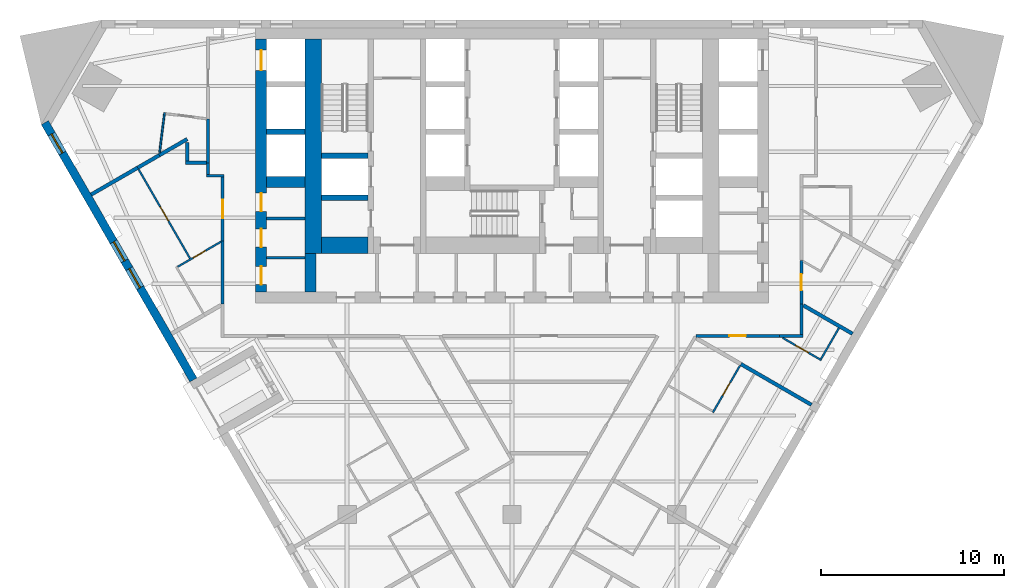
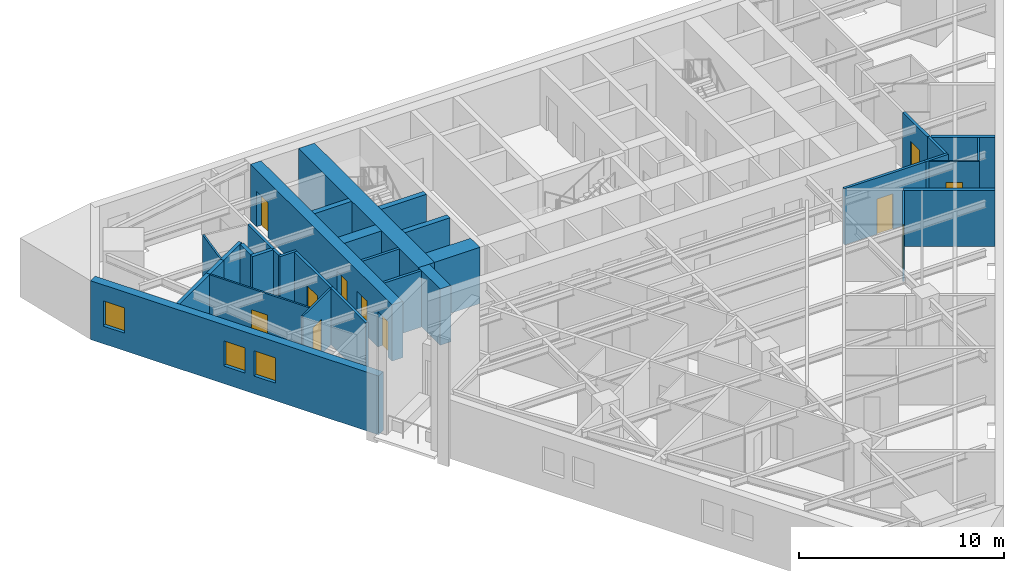
# One storey, part 5 of 9: 33 walls, 11 doors, 3 windows, 14 openings.
"""IFC4 building model written with IfcOpenShell, lengths in metres."""

import ifcopenshell
import ifcopenshell.guid

model = None  # the IFC model being written
_history = None  # IfcOwnerHistory: only IFC2X3 demands one
_inside = {}  # id of a spatial element -> (the spatial element, [elements in it])
_under = {}  # id of a project, library or spatial element -> (it, [spatial elements below it])
_declared = {}  # id of a project -> (the project, [libraries it declares])
_typed = {}  # id of a type object -> (the type object, [elements of that type])
_made_of = {}  # id of a material, layer set ... -> (it, [elements and type objects made of it])


def new_model(schema):
    """Start an empty IFC model of exactly this schema.

    Asked for "IFC4X3", IfcOpenShell would pick the latest addendum, in which some entities
    have other attributes; the version numbers below select the first issue.
    IFC2X3 requires an IfcOwnerHistory on every rooted entity: one is made here for all.
    """
    global model, _history
    if schema == "IFC4X3":
        model = ifcopenshell.file(schema_version=(4, 3, 0, 0))
    else:
        model = ifcopenshell.file(schema=schema)
    _inside.clear()
    _under.clear()
    _declared.clear()
    _typed.clear()
    _made_of.clear()
    _history = None
    if model.schema == "IFC2X3":
        org = make("IfcOrganization", Name="unknown")
        user = make(
            "IfcPersonAndOrganization",
            ThePerson=make("IfcPerson", FamilyName="unknown"),
            TheOrganization=org,
        )
        app = make(
            "IfcApplication",
            ApplicationDeveloper=org,
            Version="unknown",
            ApplicationFullName="unknown",
            ApplicationIdentifier="unknown",
        )
        _history = make(
            "IfcOwnerHistory",
            OwningUser=user,
            OwningApplication=app,
            ChangeAction="ADDED",
            CreationDate=0,
        )
    return model


def make(cls, **values):
    """One entity of the class cls with the attributes given. An attribute that is None is left unset."""
    return model.create_entity(
        cls, **{name: value for name, value in values.items() if value is not None}
    )


def rooted(cls, **values):
    """An entity with a GlobalId (a new one), such as an element, a storey or a relation."""
    return make(cls, GlobalId=ifcopenshell.guid.new(), OwnerHistory=_history, **values)


def si_unit(unit_type, name, prefix=None):
    """IfcSIUnit, for example si_unit("LENGTHUNIT", "METRE", prefix="MILLI")."""
    return make("IfcSIUnit", UnitType=unit_type, Prefix=prefix, Name=name)


def assignment(units):
    """IfcUnitAssignment: the units of a project."""
    return None if units is None else make("IfcUnitAssignment", Units=units)


def point(xyz):
    """IfcCartesianPoint."""
    return None if xyz is None else make("IfcCartesianPoint", Coordinates=xyz)


def direction(xyz):
    """IfcDirection."""
    return None if xyz is None else make("IfcDirection", DirectionRatios=xyz)


def frame(location, z_axis=None, x_axis=None):
    """IfcAxis2Placement3D, a coordinate frame: its origin and axes. An axis left out is left unset."""
    return make(
        "IfcAxis2Placement3D",
        Location=point(location),
        Axis=direction(z_axis),
        RefDirection=direction(x_axis),
    )


def frame_2d(location, x_axis=None):
    """IfcAxis2Placement2D, a coordinate frame in the plane: its origin and x axis."""
    return make(
        "IfcAxis2Placement2D", Location=point(location), RefDirection=direction(x_axis)
    )


def origin():
    """The frame at (0, 0, 0) with its axes left unset."""
    return frame((0.0, 0.0, 0.0))


def place(relative_to, where):
    """IfcLocalPlacement: puts the frame where relative to a parent placement (None: the world)."""
    return make(
        "IfcLocalPlacement", PlacementRelTo=relative_to, RelativePlacement=where
    )


def context(
    kind, dimensions, precision=None, world=None, true_north=None, identifier=None
):
    """IfcGeometricRepresentationContext, for example the 3D "Model" context."""
    return make(
        "IfcGeometricRepresentationContext",
        ContextIdentifier=identifier,
        ContextType=kind,
        CoordinateSpaceDimension=dimensions,
        Precision=precision,
        WorldCoordinateSystem=world,
        TrueNorth=true_north,
    )


def subcontext(parent, identifier, kind, view, scale=None):
    """IfcGeometricRepresentationSubContext, for example "Body" below "Model"."""
    return make(
        "IfcGeometricRepresentationSubContext",
        ContextIdentifier=identifier,
        ContextType=kind,
        ParentContext=parent,
        TargetScale=scale,
        TargetView=view,
    )


def project(units=None, contexts=None):
    """IfcProject with its units and contexts."""
    return rooted(
        "IfcProject",
        Name="project",
        RepresentationContexts=contexts,
        UnitsInContext=assignment(units),
    )


def spatial(cls, under=None, at=None, **own):
    """A site, building, storey or space (cls), placed at a placement, below another one or the project."""
    s = rooted(cls, ObjectPlacement=at, **own)
    if under is not None:
        _under.setdefault(under.id(), (under, []))[1].append(s)
    return s


def polyline(points):
    """IfcPolyline through the points."""
    return make("IfcPolyline", Points=[point(p) for p in points])


def profile(cls, at=None, kind="AREA", **sizes):
    """A parametric profile (cls). Its sizes go by their IFC names, for example OverallWidth=200.0."""
    return make(cls, ProfileType=kind, Position=at, **sizes)


def rectangle(**sizes):
    """IfcRectangleProfileDef."""
    return profile("IfcRectangleProfileDef", **sizes)


def outline(outer, holes=None, kind="AREA"):
    """IfcArbitraryClosedProfileDef: a profile drawn as a closed curve; with holes, ...WithVoids."""
    if holes is None:
        return make("IfcArbitraryClosedProfileDef", ProfileType=kind, OuterCurve=outer)
    return make(
        "IfcArbitraryProfileDefWithVoids",
        ProfileType=kind,
        OuterCurve=outer,
        InnerCurves=holes,
    )


def extrude(swept, where, along, depth):
    """IfcExtrudedAreaSolid: the profile swept, set in the frame where, extruded along a direction by depth."""
    return make(
        "IfcExtrudedAreaSolid",
        SweptArea=swept,
        Position=where,
        ExtrudedDirection=direction(along),
        Depth=depth,
    )


def shape(context_of_items, identifier, shape_type, items):
    """IfcShapeRepresentation: the items that make up one representation, for example the "Body"."""
    return make(
        "IfcShapeRepresentation",
        ContextOfItems=context_of_items,
        RepresentationIdentifier=identifier,
        RepresentationType=shape_type,
        Items=items,
    )


def material(Name=None, Category=None):
    """IfcMaterial."""
    return make("IfcMaterial", Name=Name, Category=Category)


def layer(
    of_material, thickness, ventilated=None, Name=None, Category=None, Priority=None
):
    """IfcMaterialLayer: one layer of a wall or slab, of a material (None: an air gap)."""
    return make(
        "IfcMaterialLayer",
        Material=of_material,
        LayerThickness=thickness,
        IsVentilated=ventilated,
        Name=Name,
        Category=Category,
        Priority=Priority,
    )


def layer_set(layers, Name=None):
    """IfcMaterialLayerSet."""
    return make("IfcMaterialLayerSet", MaterialLayers=layers, LayerSetName=Name)


def made_of(thing, what):
    """Note that an element or type object is made of a material, layer set ...; save() writes the relation."""
    if what is not None:
        _made_of.setdefault(what.id(), (what, []))[1].append(thing)
    return thing


def type_object(cls, material=None, **own):
    """A type object (cls), such as IfcWallType, which elements share."""
    return made_of(rooted(cls, **own), material)


def element(
    cls,
    number,
    at=None,
    inside=None,
    cuts=None,
    type_object=None,
    material=None,
    context=None,
    identifier="Body",
    shape_type=None,
    held_by="IfcProductDefinitionShape",
    body=None,
    shapes=None,
    **own,
):
    """One element of the class cls, such as IfcWall. Its Tag is "e" and its number.

    at: its placement. inside: the storey or other place that contains it. cuts: it is an
    opening in that element (IfcRelVoidsElement). A single representation is given by context,
    identifier, shape_type and body (its items); several are given by shapes. held_by: the class
    of the entity that holds the representations. save() writes the other relations.
    """
    e = rooted(cls, Tag="e%d" % number, ObjectPlacement=at, **own)
    if body is not None:
        shapes = [shape(context, identifier, shape_type, body)]
    if shapes is not None:
        e.Representation = make(held_by, Representations=shapes)
    if inside is not None:
        _inside.setdefault(inside.id(), (inside, []))[1].append(e)
    if cuts is not None:
        rooted(
            "IfcRelVoidsElement", RelatingBuildingElement=cuts, RelatedOpeningElement=e
        )
    if type_object is not None:
        _typed.setdefault(type_object.id(), (type_object, []))[1].append(e)
    return made_of(e, material)


def fill(opening, filler):
    """IfcRelFillsElement: the door or window that sits in an opening."""
    return rooted(
        "IfcRelFillsElement",
        RelatingOpeningElement=opening,
        RelatedBuildingElement=filler,
    )


def aggregate(whole, parts):
    """IfcRelAggregates: a whole, such as a stair, and the parts it consists of."""
    return rooted("IfcRelAggregates", RelatingObject=whole, RelatedObjects=parts)


def save(model, path):
    """Write the relations noted so far, then the file.

    IfcRelAggregates (storeys below a building ...), IfcRelContainedInSpatialStructure (elements
    in a storey), IfcRelDefinesByType, IfcRelAssociatesMaterial and IfcRelDeclares: one each for
    every whole, place, type object, material and project.
    """
    for whole, parts in _under.values():
        aggregate(whole, parts)
    for where, things in _inside.values():
        rooted(
            "IfcRelContainedInSpatialStructure",
            RelatedElements=things,
            RelatingStructure=where,
        )
    for kind, things in _typed.values():
        rooted("IfcRelDefinesByType", RelatedObjects=things, RelatingType=kind)
    for what, things in _made_of.values():
        rooted("IfcRelAssociatesMaterial", RelatedObjects=things, RelatingMaterial=what)
    for by, libraries in _declared.values():
        rooted("IfcRelDeclares", RelatingContext=by, RelatedDefinitions=libraries)
    model.write(path)


model = new_model("IFC4")

# Units and contexts
model_context = context("Model", 3, precision=1e-05, world=origin(), true_north=direction((0.0, 1.0)))
body_context = subcontext(model_context, "Body", "Model", "MODEL_VIEW")
ifc_project = project(units=[si_unit("LENGTHUNIT", "METRE"), si_unit("AREAUNIT", "SQUARE_METRE"), si_unit("VOLUMEUNIT", "CUBIC_METRE"), si_unit("PLANEANGLEUNIT", "RADIAN"), si_unit("MASSUNIT", "GRAM", prefix="KILO")], contexts=[model_context])

# Site, building, storey
site_placement = place(None, origin())
site = spatial("IfcSite", under=ifc_project, at=site_placement, CompositionType="ELEMENT")
building_placement = place(site_placement, origin())
building = spatial("IfcBuilding", under=site, at=building_placement, Name="Aloe Facet Convention Tower", CompositionType="ELEMENT")
storey_placement = place(building_placement, frame((0.0, 0.0, 52.5)))
storey = spatial("IfcBuildingStorey", under=building, at=storey_placement, Name="L11", CompositionType="ELEMENT", Elevation=52.5)

# Walls
ifc_material_1 = material(Name="Concrete blockwork partition", Category="masonry")
ifc_layer_1 = layer(ifc_material_1, 0.14990234375)
ifc_layer_set_1 = layer_set([ifc_layer_1], Name="CR-W-PART150")
wall_type_1 = type_object("IfcWallType", Name="CR-W-PART150", PredefinedType="PARTITIONING", material=ifc_layer_set_1)
for number, where, z_axis, x_axis, name in (
    (1, (66.60009765625, 124.16455078125, 0.0), (0.0, 0.0, 1.0), (1.0, 0.0, 0.0), "Core partition L11-007"),
    (2, (66.60009765625, 122.02490234375, 0.0), (0.0, 0.0, 1.0), (1.0, 0.0, 0.0), "Core partition L11-008"),
):
    element("IfcWall", number, at=place(storey_placement, frame(where, z_axis=z_axis, x_axis=x_axis)), inside=storey, type_object=wall_type_1, Name=name, PredefinedType="PARTITIONING", context=body_context, shape_type="SweptSolid", body=[
        extrude(rectangle(XDim=2.099853515625, YDim=0.14990234375, at=frame_2d((1.0498046875, 0.0))), origin(), (0.0, 0.0, 1.0), 3.35009765625),
    ])
ifc_material_2 = material(Name="Concrete C80/95", Category="concrete")
ifc_layer_2 = layer(ifc_material_2, 0.300048828125)
ifc_layer_set_2 = layer_set([ifc_layer_2], Name="CR-W-RC300-C8095")
wall_type_2 = type_object("IfcWallType", Name="CR-W-RC300-C8095", PredefinedType="SOLIDWALL", material=ifc_layer_set_2)
wall_1_placement = place(storey_placement, frame((66.60009765625, 128.89990234375, 0.0), z_axis=(0.0, 0.0, 1.0), x_axis=(1.0, 0.0, 0.0)))
element("IfcWall", 3, at=wall_1_placement, inside=storey, type_object=wall_type_2, Name="Core wall L11-005", PredefinedType="SOLIDWALL", context=body_context, shape_type="SweptSolid", body=[
    extrude(rectangle(XDim=2.099853515625, YDim=0.300048828125, at=frame_2d((1.0498046875, 0.0))), origin(), (0.0, 0.0, 1.0), 3.35009765625),
])
for number, where, z_axis, x_axis, name in (
    (4, (69.60009765625, 127.60009765625, 0.0), (0.0, 0.0, 1.0), (1.0, 0.0, 0.0), "Core wall L11-011"),
    (5, (69.60009765625, 125.300048828125, 0.0), (0.0, 0.0, 1.0), (1.0, 0.0, 0.0), "Core wall L11-012"),
):
    element("IfcWall", number, at=place(storey_placement, frame(where, z_axis=z_axis, x_axis=x_axis)), inside=storey, type_object=wall_type_2, Name=name, PredefinedType="SOLIDWALL", context=body_context, shape_type="SweptSolid", body=[
        extrude(rectangle(XDim=2.5498046875, YDim=0.300048828125, at=frame_2d((1.27490234375, 0.0))), origin(), (0.0, 0.0, 1.0), 3.35009765625),
    ])

# Wall, openings, doors
ifc_material_3 = material(Name="Concrete C80/95", Category="concrete")
ifc_layer_3 = layer(ifc_material_3, 0.60009765625)
ifc_layer_set_3 = layer_set([ifc_layer_3], Name="CR-W-RC600-C8095")
wall_type_3 = type_object("IfcWallType", Name="CR-W-RC600-C8095", PredefinedType="SOLIDWALL", material=ifc_layer_set_3)
wall_2_placement = place(storey_placement, frame((66.300048828125, 133.949951171875, 0.0), z_axis=(0.0, 0.0, 1.0), x_axis=(0.0, -1.0, 0.0)))
wall_2 = element("IfcWall", 6, at=wall_2_placement, inside=storey, type_object=wall_type_3, Name="Core wall L11-002", PredefinedType="SOLIDWALL", context=body_context, shape_type="SweptSolid", body=[
    extrude(rectangle(XDim=13.800048828125, YDim=0.60009765625, at=frame_2d((6.89990234375, 0.0))), origin(), (0.0, 0.0, 1.0), 3.35009765625),
])
opening_1_placement = place(wall_2_placement, frame((0.60009765625, 0.0, 0.0)))
opening_1 = element("IfcOpeningElement", 7, at=opening_1_placement, cuts=wall_2, Name="Opening LD-A7-L11", PredefinedType="OPENING", context=body_context, shape_type="SweptSolid", body=[
    extrude(rectangle(XDim=1.10009765625, YDim=2.10009765625, at=frame_2d((0.550048828125, 1.050048828125))), frame((0.0, 0.31005859375, 0.0), z_axis=(0.0, -1.0, 0.0), x_axis=(1.0, 0.0, 0.0)), (0.0, 0.0, 1.0), 0.6201171875),
])
opening_2_placement = place(wall_2_placement, frame((8.4052734375, 0.0, 0.0)))
opening_2 = element("IfcOpeningElement", 8, at=opening_2_placement, cuts=wall_2, Name="Opening L11-CD35", PredefinedType="OPENING", context=body_context, shape_type="SweptSolid", body=[
    extrude(rectangle(XDim=1.0, YDim=2.10009765625, at=frame_2d((0.5, 1.050048828125))), frame((0.0, 0.31005859375, 0.0), z_axis=(0.0, -1.0, 0.0), x_axis=(1.0, 0.0, 0.0)), (0.0, 0.0, 1.0), 0.6201171875),
])
opening_3_placement = place(wall_2_placement, frame((10.355224609375, 0.0, 0.0)))
opening_3 = element("IfcOpeningElement", 9, at=opening_3_placement, cuts=wall_2, Name="Opening L11-CD36", PredefinedType="OPENING", context=body_context, shape_type="SweptSolid", body=[
    extrude(rectangle(XDim=1.0, YDim=2.10009765625, at=frame_2d((0.5, 1.050048828125))), frame((0.0, 0.31005859375, 0.0), z_axis=(0.0, -1.0, 0.0), x_axis=(1.0, 0.0, 0.0)), (0.0, 0.0, 1.0), 0.6201171875),
])
opening_4_placement = place(wall_2_placement, frame((12.39990234375, 0.0, 0.0)))
opening_4 = element("IfcOpeningElement", 10, at=opening_4_placement, cuts=wall_2, Name="Opening L11-CD37", PredefinedType="OPENING", context=body_context, shape_type="SweptSolid", body=[
    extrude(rectangle(XDim=1.0, YDim=2.10009765625, at=frame_2d((0.5, 1.050048828125))), frame((0.0, 0.31005859375, 0.0), z_axis=(0.0, -1.0, 0.0), x_axis=(1.0, 0.0, 0.0)), (0.0, 0.0, 1.0), 0.6201171875),
])
ifc_material_4 = material(Name="Steel fire-resisting door set FD60", Category="steel")
door_type_1 = type_object("IfcDoorType", Name="CR-D-ROOM-1000-FD60-SLEFT", OperationType="SINGLE_SWING_LEFT", PredefinedType="DOOR", material=ifc_material_4)
door_1_placement = place(opening_2_placement, origin())
door_1 = element("IfcDoor", 11, at=door_1_placement, inside=storey, type_object=door_type_1, Name="Core door L11-CD35", OperationType="SINGLE_SWING_LEFT", OverallHeight=2.10009765625, OverallWidth=1.0, PredefinedType="DOOR", context=body_context, shape_type="SweptSolid", body=[
    extrude(rectangle(XDim=1.0, YDim=2.10009765625, at=frame_2d((0.5, 1.050048828125))), frame((0.0, 0.02490234375, 0.0), z_axis=(0.0, -1.0, 0.0), x_axis=(1.0, 0.0, 0.0)), (0.0, 0.0, 1.0), 0.050048828125),
])
fill(opening_2, door_1)
door_2_placement = place(opening_3_placement, origin())
door_2 = element("IfcDoor", 12, at=door_2_placement, inside=storey, type_object=door_type_1, Name="Core door L11-CD36", OperationType="SINGLE_SWING_LEFT", OverallHeight=2.10009765625, OverallWidth=1.0, PredefinedType="DOOR", context=body_context, shape_type="SweptSolid", body=[
    extrude(rectangle(XDim=1.0, YDim=2.10009765625, at=frame_2d((0.5, 1.050048828125))), frame((0.0, 0.02490234375, 0.0), z_axis=(0.0, -1.0, 0.0), x_axis=(1.0, 0.0, 0.0)), (0.0, 0.0, 1.0), 0.050048828125),
])
fill(opening_3, door_2)
door_3_placement = place(opening_4_placement, origin())
door_3 = element("IfcDoor", 13, at=door_3_placement, inside=storey, type_object=door_type_1, Name="Core door L11-CD37", OperationType="SINGLE_SWING_LEFT", OverallHeight=2.10009765625, OverallWidth=1.0, PredefinedType="DOOR", context=body_context, shape_type="SweptSolid", body=[
    extrude(rectangle(XDim=1.0, YDim=2.10009765625, at=frame_2d((0.5, 1.050048828125))), frame((0.0, 0.02490234375, 0.0), z_axis=(0.0, -1.0, 0.0), x_axis=(1.0, 0.0, 0.0)), (0.0, 0.0, 1.0), 0.050048828125),
])
fill(opening_4, door_3)
ifc_material_5 = material(Name="Stainless steel sliding landing door", Category="steel")
door_type_2 = type_object("IfcDoorType", Name="CR-LD-1100-FD60-_LEFT", OperationType="SLIDING_TO_LEFT", PredefinedType="DOOR", material=ifc_material_5)
door_4_placement = place(opening_1_placement, origin())
door_4 = element("IfcDoor", 14, at=door_4_placement, inside=storey, type_object=door_type_2, Name="Landing door A7 L11", OperationType="SLIDING_TO_LEFT", OverallHeight=2.10009765625, OverallWidth=1.10009765625, PredefinedType="DOOR", context=body_context, shape_type="SweptSolid", body=[
    extrude(rectangle(XDim=1.10009765625, YDim=2.10009765625, at=frame_2d((0.550048828125, 1.050048828125))), frame((0.0, 0.02490234375, 0.0), z_axis=(0.0, -1.0, 0.0), x_axis=(1.0, 0.0, 0.0)), (0.0, 0.0, 1.0), 0.050048828125),
])
fill(opening_1, door_4)

# Walls
wall_3_placement = place(storey_placement, frame((66.60009765625, 126.14990234375, 0.0), z_axis=(0.0, 0.0, 1.0), x_axis=(1.0, 0.0, 0.0)))
element("IfcWall", 15, at=wall_3_placement, inside=storey, type_object=wall_type_3, Name="Core wall L11-006", PredefinedType="SOLIDWALL", context=body_context, shape_type="SweptSolid", body=[
    extrude(rectangle(XDim=2.099853515625, YDim=0.60009765625, at=frame_2d((1.0498046875, 0.0))), origin(), (0.0, 0.0, 1.0), 3.35009765625),
])
wall_4_placement = place(storey_placement, frame((69.0, 122.25, 0.0), z_axis=(0.0, 0.0, 1.0), x_axis=(0.0, -1.0, 0.0)))
element("IfcWall", 16, at=wall_4_placement, inside=storey, type_object=wall_type_3, Name="Core wall L11-010", PredefinedType="SOLIDWALL", context=body_context, shape_type="SweptSolid", body=[
    extrude(rectangle(XDim=2.10009765625, YDim=0.60009765625, at=frame_2d((1.050048828125, 0.0))), origin(), (0.0, 0.0, 1.0), 3.35009765625),
])
ifc_material_6 = material(Name="Concrete C80/95", Category="concrete")
ifc_layer_4 = layer(ifc_material_6, 0.89990234375)
ifc_layer_set_4 = layer_set([ifc_layer_4], Name="CR-W-RC900-C8095")
wall_type_4 = type_object("IfcWallType", Name="CR-W-RC900-C8095", PredefinedType="SOLIDWALL", material=ifc_layer_set_4)
wall_5_placement = place(storey_placement, frame((69.14990234375, 133.949951171875, 0.0), z_axis=(0.0, 0.0, 1.0), x_axis=(0.0, -1.0, 0.0)))
element("IfcWall", 17, at=wall_5_placement, inside=storey, type_object=wall_type_4, Name="Core wall L11-009", PredefinedType="SOLIDWALL", context=body_context, shape_type="SweptSolid", body=[
    extrude(rectangle(XDim=11.699951171875, YDim=0.89990234375, at=frame_2d((5.85009765625, 0.0))), origin(), (0.0, 0.0, 1.0), 3.35009765625),
])
wall_6_placement = place(storey_placement, frame((69.60009765625, 122.699951171875, 0.0), z_axis=(0.0, 0.0, 1.0), x_axis=(1.0, 0.0, 0.0)))
element("IfcWall", 18, at=wall_6_placement, inside=storey, type_object=wall_type_4, Name="Core wall L11-013", PredefinedType="SOLIDWALL", context=body_context, shape_type="SweptSolid", body=[
    extrude(rectangle(XDim=2.5498046875, YDim=0.89990234375, at=frame_2d((1.27490234375, 0.0))), origin(), (0.0, 0.0, 1.0), 3.35009765625),
])

# Wall, openings, windows
ifc_material_7 = material(Name="Precast concrete C40/50", Category="concrete")
ifc_layer_5 = layer(ifc_material_7, 0.449951171875)
ifc_layer_set_5 = layer_set([ifc_layer_5], Name="EV-WALL-STONE")
wall_type_5 = type_object("IfcWallType", Name="EV-WALL-STONE", PredefinedType="SOLIDWALL", material=ifc_layer_set_5)
wall_7_placement = place(storey_placement, frame((54.494873046875, 129.396728515625, -0.14990234375), z_axis=(0.0, 0.0, 1.0), x_axis=(0.499995201193, -0.866028174359, 0.0)))
wall_7 = element("IfcWall", 19, at=wall_7_placement, inside=storey, type_object=wall_type_5, Name="EW-L11-W01", PredefinedType="SOLIDWALL", context=body_context, shape_type="SweptSolid", body=[
    extrude(outline(polyline([(0.0, 0.0), (0.0, 3.5), (16.219970703125, 3.5), (16.219970703125, 0.0), (0.0, 0.0)])), frame((0.0, 0.22509765625, 0.0), z_axis=(0.0, -1.0, 0.0), x_axis=(1.0, 0.0, 0.0)), (0.0, 0.0, 1.0), 0.449951171875),
])
opening_5_placement = place(wall_7_placement, frame((0.72216796875, 0.0, 1.050048828125)))
opening_5 = element("IfcOpeningElement", 20, at=opening_5_placement, cuts=wall_7, Name="Opening W-L11-W01", PredefinedType="OPENING", context=body_context, shape_type="SweptSolid", body=[
    extrude(rectangle(XDim=1.199951171875, YDim=1.5, at=frame_2d((0.60009765625, 0.75))), frame((0.0, 0.23486328125, 0.0), z_axis=(0.0, -1.0, 0.0), x_axis=(1.0, 0.0, 0.0)), (0.0, 0.0, 1.0), 0.469970703125),
])
opening_6_placement = place(wall_7_placement, frame((7.510009765625, 0.0, 1.050048828125)))
opening_6 = element("IfcOpeningElement", 21, at=opening_6_placement, cuts=wall_7, Name="Opening W-L11-W02", PredefinedType="OPENING", context=body_context, shape_type="SweptSolid", body=[
    extrude(rectangle(XDim=1.199951171875, YDim=1.5, at=frame_2d((0.60009765625, 0.75))), frame((0.0, 0.23486328125, 0.0), z_axis=(0.0, -1.0, 0.0), x_axis=(1.0, 0.0, 0.0)), (0.0, 0.0, 1.0), 0.469970703125),
])
opening_7_placement = place(wall_7_placement, frame((9.2099609375, 0.0, 1.050048828125)))
opening_7 = element("IfcOpeningElement", 22, at=opening_7_placement, cuts=wall_7, Name="Opening W-L11-W03", PredefinedType="OPENING", context=body_context, shape_type="SweptSolid", body=[
    extrude(rectangle(XDim=1.199951171875, YDim=1.5, at=frame_2d((0.60009765625, 0.75))), frame((0.0, 0.23486328125, 0.0), z_axis=(0.0, -1.0, 0.0), x_axis=(1.0, 0.0, 0.0)), (0.0, 0.0, 1.0), 0.469970703125),
])
ifc_material_8 = material(Name="Aluminium frame, clear double glazing", Category="aluminium")
window_type = type_object("IfcWindowType", Name="EV-WIN-H12", PartitioningType="SINGLE_PANEL", PredefinedType="WINDOW", material=ifc_material_8)
window_1_placement = place(opening_5_placement, origin())
window_1 = element("IfcWindow", 23, at=window_1_placement, inside=storey, type_object=window_type, Name="W-L11-W01", OverallHeight=1.5, OverallWidth=1.199951171875, PartitioningType="SINGLE_PANEL", PredefinedType="WINDOW", context=body_context, shape_type="SweptSolid", body=[
    extrude(rectangle(XDim=1.199951171875, YDim=1.5, at=frame_2d((0.60009765625, 0.75))), frame((0.0, 0.030029296875, 0.0), z_axis=(0.0, -1.0, 0.0), x_axis=(1.0, 0.0, 0.0)), (0.0, 0.0, 1.0), 0.06005859375),
])
fill(opening_5, window_1)
window_2_placement = place(opening_6_placement, origin())
window_2 = element("IfcWindow", 24, at=window_2_placement, inside=storey, type_object=window_type, Name="W-L11-W02", OverallHeight=1.5, OverallWidth=1.199951171875, PartitioningType="SINGLE_PANEL", PredefinedType="WINDOW", context=body_context, shape_type="SweptSolid", body=[
    extrude(rectangle(XDim=1.199951171875, YDim=1.5, at=frame_2d((0.60009765625, 0.75))), frame((0.0, 0.030029296875, 0.0), z_axis=(0.0, -1.0, 0.0), x_axis=(1.0, 0.0, 0.0)), (0.0, 0.0, 1.0), 0.06005859375),
])
fill(opening_6, window_2)
window_3_placement = place(opening_7_placement, origin())
window_3 = element("IfcWindow", 25, at=window_3_placement, inside=storey, type_object=window_type, Name="W-L11-W03", OverallHeight=1.5, OverallWidth=1.199951171875, PartitioningType="SINGLE_PANEL", PredefinedType="WINDOW", context=body_context, shape_type="SweptSolid", body=[
    extrude(rectangle(XDim=1.199951171875, YDim=1.5, at=frame_2d((0.60009765625, 0.75))), frame((0.0, 0.030029296875, 0.0), z_axis=(0.0, -1.0, 0.0), x_axis=(1.0, 0.0, 0.0)), (0.0, 0.0, 1.0), 0.06005859375),
])
fill(opening_7, window_3)

# Wall
ifc_material_9 = material(Name="Gypsum board partition on steel studs", Category="steel")
ifc_layer_6 = layer(ifc_material_9, 0.14990234375)
ifc_layer_set_6 = layer_set([ifc_layer_6], Name="IN-W-CORR")
wall_type_6 = type_object("IfcWallType", Name="IN-W-CORR", PredefinedType="PARTITIONING", material=ifc_layer_set_6)
wall_8_placement = place(storey_placement, frame((94.597900390625, 117.75, 0.0), z_axis=(0.0, 0.0, 1.0), x_axis=(1.0, 0.0, 0.0)))
element("IfcWall", 26, at=wall_8_placement, inside=storey, type_object=wall_type_6, Name="Partition L11-W068", PredefinedType="PARTITIONING", context=body_context, shape_type="SweptSolid", body=[
    extrude(rectangle(XDim=1.277099609375, YDim=0.14990234375, at=frame_2d((0.638671875, 0.0))), origin(), (0.0, 0.0, 1.0), 3.35009765625),
])

# Wall, opening, door
wall_9_placement = place(storey_placement, frame((90.033935546875, 117.75, 0.0), z_axis=(0.0, 0.0, 1.0), x_axis=(1.0, 0.0, 0.0)))
wall_9 = element("IfcWall", 27, at=wall_9_placement, inside=storey, type_object=wall_type_6, Name="Partition L11-W069", PredefinedType="PARTITIONING", context=body_context, shape_type="SweptSolid", body=[
    extrude(rectangle(XDim=4.56396484375, YDim=0.14990234375, at=frame_2d((2.281982421875, 0.0))), origin(), (0.0, 0.0, 1.0), 3.35009765625),
])
opening_8_placement = place(wall_9_placement, frame((1.83203125, 0.0, 0.0)))
opening_8 = element("IfcOpeningElement", 28, at=opening_8_placement, cuts=wall_9, Name="Opening L11-008", PredefinedType="OPENING", context=body_context, shape_type="SweptSolid", body=[
    extrude(rectangle(XDim=0.89990234375, YDim=2.10009765625, at=frame_2d((0.449951171875, 1.050048828125))), frame((0.0, 0.0849609375, 0.0), z_axis=(0.0, -1.0, 0.0), x_axis=(1.0, 0.0, 0.0)), (0.0, 0.0, 1.0), 0.169921875),
])
ifc_material_10 = material(Name="Hardwood flush door FD30S", Category="wood")
door_type_3 = type_object("IfcDoorType", Name="IN-D-GUEST", OperationType="SINGLE_SWING_LEFT", PredefinedType="DOOR", material=ifc_material_10)
door_5_placement = place(opening_8_placement, origin())
door_5 = element("IfcDoor", 29, at=door_5_placement, inside=storey, type_object=door_type_3, Name="Door L11-008", OperationType="SINGLE_SWING_LEFT", OverallHeight=2.10009765625, OverallWidth=0.89990234375, PredefinedType="DOOR", context=body_context, shape_type="SweptSolid", body=[
    extrude(rectangle(XDim=0.89990234375, YDim=2.10009765625, at=frame_2d((0.449951171875, 1.050048828125))), frame((0.0, 0.02490234375, 0.0), z_axis=(0.0, -1.0, 0.0), x_axis=(1.0, 0.0, 0.0)), (0.0, 0.0, 1.0), 0.050048828125),
])
fill(opening_8, door_5)

# Wall
wall_10_placement = place(storey_placement, frame((95.800048828125, 117.824951171875, 0.0), z_axis=(0.0, 0.0, 1.0), x_axis=(0.0, 1.0, 0.0)))
element("IfcWall", 30, at=wall_10_placement, inside=storey, type_object=wall_type_6, Name="Partition L11-W070", PredefinedType="PARTITIONING", context=body_context, shape_type="SweptSolid", body=[
    extrude(rectangle(XDim=1.65576171875, YDim=0.14990234375, at=frame_2d((0.827880859375, 0.0))), origin(), (0.0, 0.0, 1.0), 3.35009765625),
])

# Wall, opening, door
wall_11_placement = place(storey_placement, frame((95.800048828125, 119.480712890625, 0.0), z_axis=(0.0, 0.0, 1.0), x_axis=(0.0, 1.0, 0.0)))
wall_11 = element("IfcWall", 31, at=wall_11_placement, inside=storey, type_object=wall_type_6, Name="Partition L11-W081", PredefinedType="PARTITIONING", context=body_context, shape_type="SweptSolid", body=[
    extrude(rectangle(XDim=2.40185546875, YDim=0.14990234375, at=frame_2d((1.200927734375, 0.0))), origin(), (0.0, 0.0, 1.0), 3.35009765625),
])
opening_9_placement = place(wall_11_placement, frame((0.7509765625, 0.0, 0.0)))
opening_9 = element("IfcOpeningElement", 32, at=opening_9_placement, cuts=wall_11, Name="Opening L11-009", PredefinedType="OPENING", context=body_context, shape_type="SweptSolid", body=[
    extrude(rectangle(XDim=0.89990234375, YDim=2.10009765625, at=frame_2d((0.449951171875, 1.050048828125))), frame((0.0, 0.0849609375, 0.0), z_axis=(0.0, -1.0, 0.0), x_axis=(1.0, 0.0, 0.0)), (0.0, 0.0, 1.0), 0.169921875),
])
door_6_placement = place(opening_9_placement, origin())
door_6 = element("IfcDoor", 33, at=door_6_placement, inside=storey, type_object=door_type_3, Name="Door L11-009", OperationType="SINGLE_SWING_LEFT", OverallHeight=2.10009765625, OverallWidth=0.89990234375, PredefinedType="DOOR", context=body_context, shape_type="SweptSolid", body=[
    extrude(rectangle(XDim=0.89990234375, YDim=2.10009765625, at=frame_2d((0.449951171875, 1.050048828125))), frame((0.0, 0.02490234375, 0.0), z_axis=(0.0, -1.0, 0.0), x_axis=(1.0, 0.0, 0.0)), (0.0, 0.0, 1.0), 0.050048828125),
])
fill(opening_9, door_6)

# Walls
wall_12_placement = place(storey_placement, frame((64.199951171875, 119.480712890625, 0.0), z_axis=(0.0, 0.0, 1.0), x_axis=(0.0, 1.0, 0.0)))
element("IfcWall", 34, at=wall_12_placement, inside=storey, type_object=wall_type_6, Name="Partition L11-W083", PredefinedType="PARTITIONING", context=body_context, shape_type="SweptSolid", body=[
    extrude(rectangle(XDim=3.464111328125, YDim=0.14990234375, at=frame_2d((1.73193359375, 0.0))), origin(), (0.0, 0.0, 1.0), 3.35009765625),
])
wall_13_placement = place(storey_placement, frame((63.324951171875, 126.5, 0.0), z_axis=(0.0, 0.0, 1.0), x_axis=(1.0, 0.0, 0.0)))
element("IfcWall", 35, at=wall_13_placement, inside=storey, type_object=wall_type_6, Name="Partition L11-W096", PredefinedType="PARTITIONING", context=body_context, shape_type="SweptSolid", body=[
    extrude(rectangle(XDim=0.949951171875, YDim=0.14990234375, at=frame_2d((0.47509765625, 0.0))), origin(), (0.0, 0.0, 1.0), 3.35009765625),
])

# Wall, opening, door
wall_14_placement = place(storey_placement, frame((64.199951171875, 122.94482421875, 0.0), z_axis=(0.0, 0.0, 1.0), x_axis=(0.0, 1.0, 0.0)))
wall_14 = element("IfcWall", 36, at=wall_14_placement, inside=storey, type_object=wall_type_6, Name="Partition L11-W097", PredefinedType="PARTITIONING", context=body_context, shape_type="SweptSolid", body=[
    extrude(rectangle(XDim=3.480224609375, YDim=0.14990234375, at=frame_2d((1.740234375, 0.0))), origin(), (0.0, 0.0, 1.0), 3.35009765625),
])
opening_10_placement = place(wall_14_placement, frame((1.239990234375, 0.0, 0.0)))
opening_10 = element("IfcOpeningElement", 37, at=opening_10_placement, cuts=wall_14, Name="Opening L11-014", PredefinedType="OPENING", context=body_context, shape_type="SweptSolid", body=[
    extrude(rectangle(XDim=1.0, YDim=2.10009765625, at=frame_2d((0.5, 1.050048828125))), frame((0.0, 0.0849609375, 0.0), z_axis=(0.0, -1.0, 0.0), x_axis=(1.0, 0.0, 0.0)), (0.0, 0.0, 1.0), 0.169921875),
])
ifc_material_11 = material(Name="Hardwood flush door FD30S", Category="wood")
door_type_4 = type_object("IfcDoorType", Name="IN-D-WIDE", OperationType="SINGLE_SWING_LEFT", PredefinedType="DOOR", material=ifc_material_11)
door_7_placement = place(opening_10_placement, origin())
door_7 = element("IfcDoor", 38, at=door_7_placement, inside=storey, type_object=door_type_4, Name="Door L11-014", OperationType="SINGLE_SWING_LEFT", OverallHeight=2.10009765625, OverallWidth=1.0, PredefinedType="DOOR", context=body_context, shape_type="SweptSolid", body=[
    extrude(rectangle(XDim=1.0, YDim=2.10009765625, at=frame_2d((0.5, 1.050048828125))), frame((0.0, 0.02490234375, 0.0), z_axis=(0.0, -1.0, 0.0), x_axis=(1.0, 0.0, 0.0)), (0.0, 0.0, 1.0), 0.050048828125),
])
fill(opening_10, door_7)

# Walls
wall_15_placement = place(storey_placement, frame((63.39990234375, 126.574951171875, 0.0), z_axis=(0.0, 0.0, 1.0), x_axis=(0.0, 1.0, 0.0)))
element("IfcWall", 39, at=wall_15_placement, inside=storey, type_object=wall_type_6, Name="Partition L11-W102", PredefinedType="PARTITIONING", context=body_context, shape_type="SweptSolid", body=[
    extrude(rectangle(XDim=0.625, YDim=0.14990234375, at=frame_2d((0.3125, 0.0))), origin(), (0.0, 0.0, 1.0), 3.35009765625),
])
wall_16_placement = place(storey_placement, frame((63.39990234375, 127.199951171875, 0.0), z_axis=(0.0, 0.0, 1.0), x_axis=(0.0, 1.0, 0.0)))
element("IfcWall", 40, at=wall_16_placement, inside=storey, type_object=wall_type_6, Name="Partition L11-W107", PredefinedType="PARTITIONING", context=body_context, shape_type="SweptSolid", body=[
    extrude(rectangle(XDim=2.3974609375, YDim=0.14990234375, at=frame_2d((1.19873046875, 0.0))), origin(), (0.0, 0.0, 1.0), 3.35009765625),
])

# Wall, opening, door
ifc_material_12 = material(Name="Gypsum board partition on steel studs", Category="steel")
ifc_layer_7 = layer(ifc_material_12, 0.10009765625)
ifc_layer_set_7 = layer_set([ifc_layer_7], Name="IN-W-PART")
wall_type_7 = type_object("IfcWallType", Name="IN-W-PART", PredefinedType="PARTITIONING", material=ifc_layer_set_7)
wall_17_placement = place(storey_placement, frame((90.971435546875, 113.57373046875, 0.0), z_axis=(0.0, 0.0, 1.0), x_axis=(0.499988418424, 0.866032090307, 0.0)))
wall_17 = element("IfcWall", 41, at=wall_17_placement, inside=storey, type_object=wall_type_7, Name="Partition L11-W047", PredefinedType="PARTITIONING", context=body_context, shape_type="SweptSolid", body=[
    extrude(rectangle(XDim=2.93994140625, YDim=0.10009765625, at=frame_2d((1.469970703125, 0.0))), origin(), (0.0, 0.0, 1.0), 3.35009765625),
])
opening_11_placement = place(wall_17_placement, frame((1.070068359375, 0.0, 0.0)))
opening_11 = element("IfcOpeningElement", 42, at=opening_11_placement, cuts=wall_17, Name="Opening L11-025", PredefinedType="OPENING", context=body_context, shape_type="SweptSolid", body=[
    extrude(rectangle(XDim=0.800048828125, YDim=2.10009765625, at=frame_2d((0.39990234375, 1.050048828125))), frame((0.0, 0.06005859375, 0.0), z_axis=(0.0, -1.0, 0.0), x_axis=(1.0, 0.0, 0.0)), (0.0, 0.0, 1.0), 0.1201171875),
])
ifc_material_13 = material(Name="Timber flush door", Category="wood")
door_type_5 = type_object("IfcDoorType", Name="IN-D-BATH", OperationType="SINGLE_SWING_LEFT", PredefinedType="DOOR", material=ifc_material_13)
door_8_placement = place(opening_11_placement, origin())
door_8 = element("IfcDoor", 43, at=door_8_placement, inside=storey, type_object=door_type_5, Name="Door L11-025", OperationType="SINGLE_SWING_LEFT", OverallHeight=2.10009765625, OverallWidth=0.800048828125, PredefinedType="DOOR", context=body_context, shape_type="SweptSolid", body=[
    extrude(rectangle(XDim=0.800048828125, YDim=2.10009765625, at=frame_2d((0.39990234375, 1.050048828125))), frame((0.0, 0.02490234375, 0.0), z_axis=(0.0, -1.0, 0.0), x_axis=(1.0, 0.0, 0.0)), (0.0, 0.0, 1.0), 0.050048828125),
])
fill(opening_11, door_8)

wall_18_placement = place(storey_placement, frame((94.775390625, 117.6474609375, 0.0), z_axis=(0.0, 0.0, 1.0), x_axis=(0.86604092097, -0.499973122483, 0.0)))
wall_18 = element("IfcWall", 44, at=wall_18_placement, inside=storey, type_object=wall_type_7, Name="Partition L11-W058", PredefinedType="PARTITIONING", context=body_context, shape_type="SweptSolid", body=[
    extrude(rectangle(XDim=2.445068359375, YDim=0.10009765625, at=frame_2d((1.22265625, 0.0))), origin(), (0.0, 0.0, 1.0), 3.35009765625),
])
opening_12_placement = place(wall_18_placement, frame((0.822509765625, 0.0, 0.0)))
opening_12 = element("IfcOpeningElement", 45, at=opening_12_placement, cuts=wall_18, Name="Opening L11-027", PredefinedType="OPENING", context=body_context, shape_type="SweptSolid", body=[
    extrude(rectangle(XDim=0.800048828125, YDim=2.10009765625, at=frame_2d((0.39990234375, 1.050048828125))), frame((0.0, 0.06005859375, 0.0), z_axis=(0.0, -1.0, 0.0), x_axis=(1.0, 0.0, 0.0)), (0.0, 0.0, 1.0), 0.1201171875),
])
door_9_placement = place(opening_12_placement, origin())
door_9 = element("IfcDoor", 46, at=door_9_placement, inside=storey, type_object=door_type_5, Name="Door L11-027", OperationType="SINGLE_SWING_LEFT", OverallHeight=2.10009765625, OverallWidth=0.800048828125, PredefinedType="DOOR", context=body_context, shape_type="SweptSolid", body=[
    extrude(rectangle(XDim=0.800048828125, YDim=2.10009765625, at=frame_2d((0.39990234375, 1.050048828125))), frame((0.0, 0.02490234375, 0.0), z_axis=(0.0, -1.0, 0.0), x_axis=(1.0, 0.0, 0.0)), (0.0, 0.0, 1.0), 0.050048828125),
])
fill(opening_12, door_9)

# Wall
wall_19_placement = place(storey_placement, frame((96.87451171875, 116.493408203125, 0.0), z_axis=(0.0, 0.0, 1.0), x_axis=(0.500043961785, 0.866000020948, 0.0)))
element("IfcWall", 47, at=wall_19_placement, inside=storey, type_object=wall_type_7, Name="Partition L11-W073", PredefinedType="PARTITIONING", context=body_context, shape_type="SweptSolid", body=[
    extrude(rectangle(XDim=1.949951171875, YDim=0.10009765625, at=frame_2d((0.97509765625, 0.0))), origin(), (0.0, 0.0, 1.0), 3.35009765625),
])

# Wall, opening, door
wall_20_placement = place(storey_placement, frame((61.740478515625, 121.52490234375, 0.0), z_axis=(0.0, 0.0, 1.0), x_axis=(0.866012292785, 0.50002270823, 0.0)))
wall_20 = element("IfcWall", 48, at=wall_20_placement, inside=storey, type_object=wall_type_7, Name="Partition L11-W079", PredefinedType="PARTITIONING", context=body_context, shape_type="SweptSolid", body=[
    extrude(rectangle(XDim=2.744873046875, YDim=0.10009765625, at=frame_2d((1.37255859375, 0.0))), origin(), (0.0, 0.0, 1.0), 3.35009765625),
])
opening_13_placement = place(wall_20_placement, frame((0.972412109375, 0.0, 0.0)))
opening_13 = element("IfcOpeningElement", 49, at=opening_13_placement, cuts=wall_20, Name="Opening L11-018", PredefinedType="OPENING", context=body_context, shape_type="SweptSolid", body=[
    extrude(rectangle(XDim=0.800048828125, YDim=2.10009765625, at=frame_2d((0.39990234375, 1.050048828125))), frame((0.0, 0.06005859375, 0.0), z_axis=(0.0, -1.0, 0.0), x_axis=(1.0, 0.0, 0.0)), (0.0, 0.0, 1.0), 0.1201171875),
])
door_10_placement = place(opening_13_placement, origin())
door_10 = element("IfcDoor", 50, at=door_10_placement, inside=storey, type_object=door_type_5, Name="Door L11-018", OperationType="SINGLE_SWING_LEFT", OverallHeight=2.10009765625, OverallWidth=0.800048828125, PredefinedType="DOOR", context=body_context, shape_type="SweptSolid", body=[
    extrude(rectangle(XDim=0.800048828125, YDim=2.10009765625, at=frame_2d((0.39990234375, 1.050048828125))), frame((0.0, 0.02490234375, 0.0), z_axis=(0.0, -1.0, 0.0), x_axis=(1.0, 0.0, 0.0)), (0.0, 0.0, 1.0), 0.050048828125),
])
fill(opening_13, door_10)

wall_21_placement = place(storey_placement, frame((59.616455078125, 126.8388671875, 0.0), z_axis=(0.0, 0.0, 1.0), x_axis=(0.499995229588, -0.866028157966, 0.0)))
wall_21 = element("IfcWall", 51, at=wall_21_placement, inside=storey, type_object=wall_type_7, Name="Partition L11-W082", PredefinedType="PARTITIONING", context=body_context, shape_type="SweptSolid", body=[
    extrude(rectangle(XDim=5.60400390625, YDim=0.10009765625, at=frame_2d((2.802001953125, 0.0))), origin(), (0.0, 0.0, 1.0), 3.35009765625),
])
opening_14_placement = place(wall_21_placement, frame((2.35205078125, 0.0, 0.0)))
opening_14 = element("IfcOpeningElement", 52, at=opening_14_placement, cuts=wall_21, Name="Opening L11-019", PredefinedType="OPENING", context=body_context, shape_type="SweptSolid", body=[
    extrude(rectangle(XDim=0.89990234375, YDim=2.10009765625, at=frame_2d((0.449951171875, 1.050048828125))), frame((0.0, 0.06005859375, 0.0), z_axis=(0.0, -1.0, 0.0), x_axis=(1.0, 0.0, 0.0)), (0.0, 0.0, 1.0), 0.1201171875),
])
ifc_material_14 = material(Name="Timber flush door", Category="wood")
door_type_6 = type_object("IfcDoorType", Name="IN-D-INT", OperationType="SINGLE_SWING_LEFT", PredefinedType="DOOR", material=ifc_material_14)
door_11_placement = place(opening_14_placement, origin())
door_11 = element("IfcDoor", 53, at=door_11_placement, inside=storey, type_object=door_type_6, Name="Door L11-019", OperationType="SINGLE_SWING_LEFT", OverallHeight=2.10009765625, OverallWidth=0.89990234375, PredefinedType="DOOR", context=body_context, shape_type="SweptSolid", body=[
    extrude(rectangle(XDim=0.89990234375, YDim=2.10009765625, at=frame_2d((0.449951171875, 1.050048828125))), frame((0.0, 0.02490234375, 0.0), z_axis=(0.0, -1.0, 0.0), x_axis=(1.0, 0.0, 0.0)), (0.0, 0.0, 1.0), 0.050048828125),
])
fill(opening_14, door_11)

# Walls
wall_22_placement = place(storey_placement, frame((60.759521484375, 127.76416015625, 0.0), z_axis=(0.0, 0.0, 1.0), x_axis=(0.123171944878, 0.992385344508, 0.0)))
element("IfcWall", 54, at=wall_22_placement, inside=storey, type_object=wall_type_7, Name="Partition L11-W104", PredefinedType="PARTITIONING", context=body_context, shape_type="SweptSolid", body=[
    extrude(rectangle(XDim=2.194091796875, YDim=0.10009765625, at=frame_2d((1.09716796875, 0.0))), origin(), (0.0, 0.0, 1.0), 3.35009765625),
])
ifc_material_15 = material(Name="Gypsum board partition on steel studs", Category="steel")
ifc_layer_8 = layer(ifc_material_15, 0.199951171875)
ifc_layer_set_8 = layer_set([ifc_layer_8], Name="IN-W-PARTY")
wall_type_8 = type_object("IfcWallType", Name="IN-W-PARTY", PredefinedType="PARTITIONING", material=ifc_layer_set_8)
wall_23_placement = place(storey_placement, frame((92.49658203125, 116.215087890625, 0.0), z_axis=(0.0, 0.0, 1.0), x_axis=(0.866012907634, -0.500021643343, 0.0)))
element("IfcWall", 55, at=wall_23_placement, inside=storey, type_object=wall_type_8, Name="Partition L11-W048", PredefinedType="PARTITIONING", context=body_context, shape_type="SweptSolid", body=[
    extrude(rectangle(XDim=4.449951171875, YDim=0.199951171875, at=frame_2d((2.22509765625, 0.0))), origin(), (0.0, 0.0, 1.0), 3.35009765625),
])
wall_24_placement = place(storey_placement, frame((95.908203125, 119.418212890625, 0.0), z_axis=(0.0, 0.0, 1.0), x_axis=(0.866051688794, -0.499954470265, 0.0)))
element("IfcWall", 56, at=wall_24_placement, inside=storey, type_object=wall_type_8, Name="Partition L11-W072", PredefinedType="PARTITIONING", context=body_context, shape_type="SweptSolid", body=[
    extrude(rectangle(XDim=3.096923828125, YDim=0.199951171875, at=frame_2d((1.54833984375, 0.0))), origin(), (0.0, 0.0, 1.0), 3.35009765625),
])
wall_25_placement = place(storey_placement, frame((57.022705078125, 125.468505859375, 0.0), z_axis=(0.0, 0.0, 1.0), x_axis=(0.866020551717, 0.500008403934, 0.0)))
element("IfcWall", 57, at=wall_25_placement, inside=storey, type_object=wall_type_8, Name="Partition L11-W093", PredefinedType="PARTITIONING", context=body_context, shape_type="SweptSolid", body=[
    extrude(rectangle(XDim=2.931640625, YDim=0.199951171875, at=frame_2d((1.4658203125, 0.0))), origin(), (0.0, 0.0, 1.0), 3.35009765625),
])
wall_26_placement = place(storey_placement, frame((59.5615234375, 126.934326171875, 0.0), z_axis=(0.0, 0.0, 1.0), x_axis=(0.86603930999, 0.499975912971, 0.0)))
element("IfcWall", 58, at=wall_26_placement, inside=storey, type_object=wall_type_8, Name="Partition L11-W100", PredefinedType="PARTITIONING", context=body_context, shape_type="SweptSolid", body=[
    extrude(rectangle(XDim=1.36181640625, YDim=0.199951171875, at=frame_2d((0.680908203125, 0.0))), origin(), (0.0, 0.0, 1.0), 3.35009765625),
])
wall_27_placement = place(storey_placement, frame((62.165771484375, 127.199951171875, 0.0), z_axis=(0.0, 0.0, 1.0), x_axis=(1.0, 0.0, 0.0)))
element("IfcWall", 59, at=wall_27_placement, inside=storey, type_object=wall_type_8, Name="Partition L11-W101", PredefinedType="PARTITIONING", context=body_context, shape_type="SweptSolid", body=[
    extrude(rectangle(XDim=1.1591796875, YDim=0.199951171875, at=frame_2d((0.57958984375, 0.0))), origin(), (0.0, 0.0, 1.0), 3.35009765625),
])
wall_28_placement = place(storey_placement, frame((60.740966796875, 127.615234375, 0.0), z_axis=(0.0, 0.0, 1.0), x_axis=(0.866033195618, 0.499986503906, 0.0)))
element("IfcWall", 60, at=wall_28_placement, inside=storey, type_object=wall_type_8, Name="Partition L11-W103", PredefinedType="PARTITIONING", context=body_context, shape_type="SweptSolid", body=[
    extrude(rectangle(XDim=1.7607421875, YDim=0.199951171875, at=frame_2d((0.88037109375, 0.0))), origin(), (0.0, 0.0, 1.0), 3.35009765625),
])
wall_29_placement = place(storey_placement, frame((62.265869140625, 127.300048828125, 0.0), z_axis=(0.0, 0.0, 1.0), x_axis=(0.0, 1.0, 0.0)))
element("IfcWall", 61, at=wall_29_placement, inside=storey, type_object=wall_type_8, Name="Partition L11-W105", PredefinedType="PARTITIONING", context=body_context, shape_type="SweptSolid", body=[
    extrude(rectangle(XDim=1.0224609375, YDim=0.199951171875, at=frame_2d((0.51123046875, 0.0))), origin(), (0.0, 0.0, 1.0), 3.35009765625),
])

save(model, "model.ifc")
